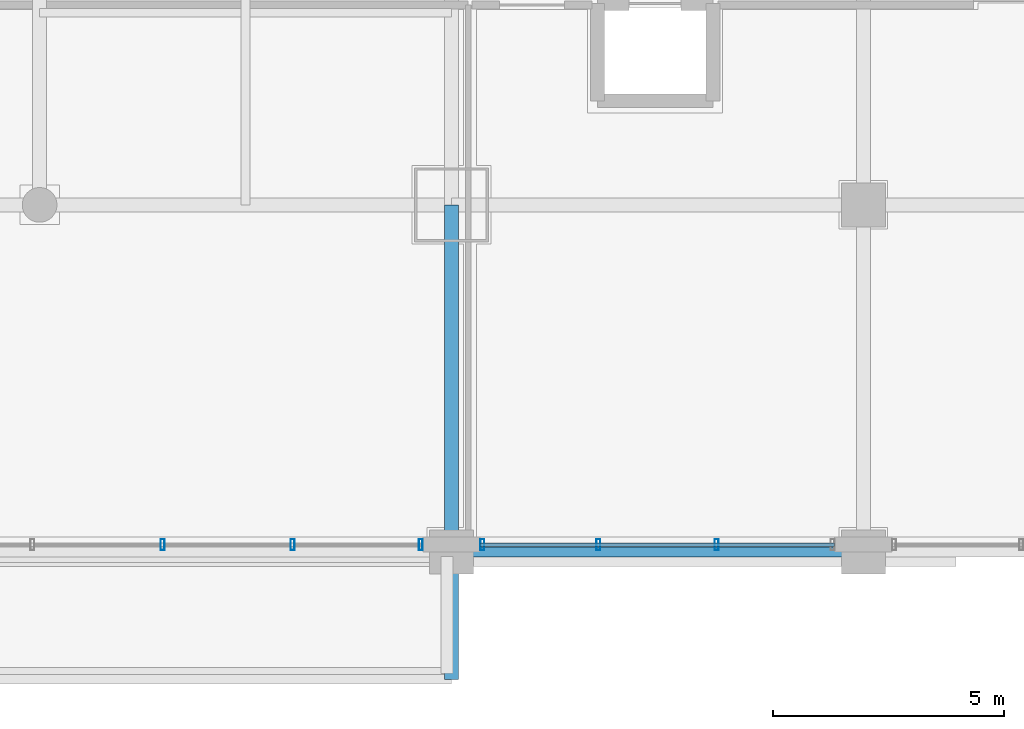
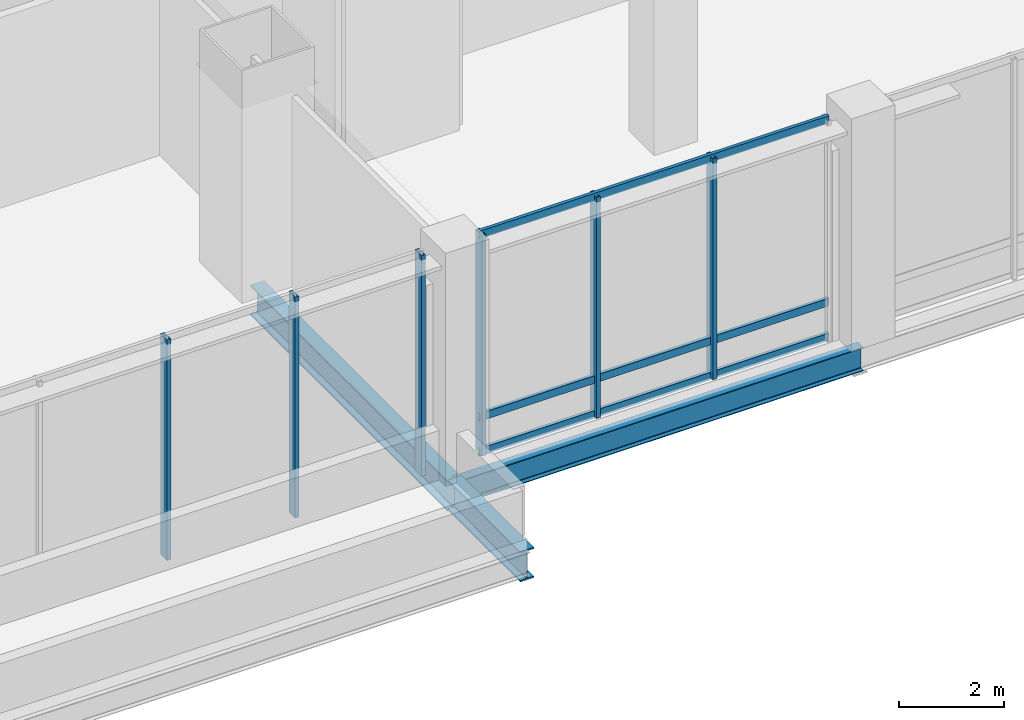
# One storey, part 10 of 43: 9 members, 3 beams, 2 elements without a shape of their own.
"""IFC4 building model written with IfcOpenShell, lengths in metres."""

from ifc_helpers import new_model, si_unit, direction, frame, origin, origin_2d, place, context, subcontext, project, spatial, hollow_rectangle, i_section, extrude, material, material_profile, profile_set, type_object, element, aggregate, save


model = new_model("IFC4")

# Units and contexts
model_context = context("Model", 3, precision=1e-05, world=origin(), true_north=direction((0.0, 1.0)))
body_context = subcontext(model_context, "Body", "Model", "MODEL_VIEW")
ifc_project = project(units=[si_unit("LENGTHUNIT", "METRE"), si_unit("AREAUNIT", "SQUARE_METRE"), si_unit("VOLUMEUNIT", "CUBIC_METRE"), si_unit("PLANEANGLEUNIT", "RADIAN"), si_unit("MASSUNIT", "GRAM", prefix="KILO")], contexts=[model_context])

# Site, building, storey
site_placement = place(None, origin())
site = spatial("IfcSite", under=ifc_project, at=site_placement, CompositionType="ELEMENT")
building_placement = place(site_placement, origin())
building = spatial("IfcBuilding", under=site, at=building_placement, Name="Punatoya Terracotta Tower", CompositionType="ELEMENT")
storey_placement = place(building_placement, frame((0.0, 0.0, 6.0)))
storey = spatial("IfcBuildingStorey", under=building, at=storey_placement, Name="L01", CompositionType="ELEMENT", Elevation=6.0)

# Beams
ifc_material_1 = material(Name="Steel S355", Category="steel")
ifc_material_profile_1 = material_profile(ifc_material_1, i_section(OverallWidth=0.300048828125, OverallDepth=0.699951171875, WebThickness=0.01708984375, FlangeThickness=0.031982421875, FilletRadius=0.01806640625, at=origin_2d()))
ifc_profile_set_1 = profile_set([ifc_material_profile_1], Name="Steel S355")
beam_type_1 = type_object("IfcBeamType", Name="BM-PRI-700", PredefinedType="BEAM", material=ifc_profile_set_1)
beam_1_placement = place(storey_placement, frame((19.10009765625, -25.0, -0.6298828125), z_axis=(0.0, 1.0, 0.0), x_axis=(-1.0, 0.0, 0.0)))
element("IfcBeam", 1, at=beam_1_placement, inside=storey, type_object=beam_type_1, Name="BM-L01-M19E--25", PredefinedType="BEAM", context=body_context, shape_type="SweptSolid", body=[
    extrude(i_section(OverallWidth=0.300048828125, OverallDepth=0.699951171875, WebThickness=0.01708984375, FlangeThickness=0.031982421875, FilletRadius=0.01806640625, at=origin_2d()), origin(), (0.0, 0.0, 1.0), 7.5),
])
beam_2_placement = place(storey_placement, frame((19.10009765625, -27.75, -0.60009765625), z_axis=(0.0, 1.0, 0.0), x_axis=(-1.0, 0.0, 0.0)))
element("IfcBeam", 2, at=beam_2_placement, inside=storey, type_object=beam_type_1, Name="BM-L01-CANS-19", PredefinedType="BEAM", context=body_context, shape_type="SweptSolid", body=[
    extrude(i_section(OverallWidth=0.300048828125, OverallDepth=0.699951171875, WebThickness=0.01708984375, FlangeThickness=0.031982421875, FilletRadius=0.01806640625, at=origin_2d()), origin(), (0.0, 0.0, 1.0), 2.75),
])
ifc_material_profile_2 = material_profile(ifc_material_1, i_section(OverallWidth=0.2099609375, OverallDepth=0.550048828125, WebThickness=0.010986328125, FlangeThickness=0.01708984375, FilletRadius=0.01806640625, at=origin_2d()))
ifc_profile_set_2 = profile_set([ifc_material_profile_2], Name="Steel S355")
beam_type_2 = type_object("IfcBeamType", Name="BM-SPN-550", PredefinedType="SPANDREL", material=ifc_profile_set_2)
beam_3_placement = place(storey_placement, frame((19.10009765625, -25.0, -0.554931640625), z_axis=(1.0, 0.0, 0.0), x_axis=(0.0, 1.0, 0.0)))
element("IfcBeam", 3, at=beam_3_placement, inside=storey, type_object=beam_type_2, Name="BM-L01-AE1", PredefinedType="SPANDREL", context=body_context, shape_type="SweptSolid", body=[
    extrude(i_section(OverallWidth=0.2099609375, OverallDepth=0.550048828125, WebThickness=0.010986328125, FlangeThickness=0.01708984375, FilletRadius=0.01806640625, at=origin_2d()), origin(), (0.0, 0.0, 1.0), 8.89990234375),
])

# Curtain wall, members
ifc_material_2 = material(Name="Aluminium 6063-T6 + Double Low-E Glass", Category="aluminium")
curtain_wall_type = type_object("IfcCurtainWallType", Name="CW-POD", PredefinedType="NOTDEFINED", material=ifc_material_2)
curtain_wall_1_placement = place(storey_placement, origin())
curtain_wall_1 = element("IfcCurtainWall", 4, at=curtain_wall_1_placement, inside=storey, type_object=curtain_wall_type, Name="L01 Curtain Wall CWP-L01-S5", PredefinedType="NOTDEFINED")
ifc_material_3 = material(Name="Aluminium 6063-T6", Category="aluminium")
ifc_material_profile_3 = material_profile(ifc_material_3, hollow_rectangle(XDim=0.0849609375, YDim=0.239990234375, WallThickness=0.0048828125, at=origin_2d()))
ifc_profile_set_3 = profile_set([ifc_material_profile_3], Name="Aluminium 6063-T6")
member_type_1 = type_object("IfcMemberType", Name="CW-MUL-POD", PredefinedType="MULLION", material=ifc_profile_set_3)
member_1_placement = place(storey_placement, frame((12.85595703125, -24.840087890625, 0.0), z_axis=(0.0, 0.0, 1.0), x_axis=(1.0, 0.0, 0.0)))
member_1 = element("IfcMember", 5, at=member_1_placement, type_object=member_type_1, Name="CWP-L01-S5 Mullion 03", PredefinedType="MULLION", context=body_context, shape_type="SweptSolid", body=[
    extrude(hollow_rectangle(XDim=0.0849609375, YDim=0.239990234375, WallThickness=0.0048828125, at=origin_2d()), origin(), (0.0, 0.0, 1.0), 5.1201171875),
])
member_2_placement = place(storey_placement, frame((15.66796875, -24.840087890625, 0.0), z_axis=(0.0, 0.0, 1.0), x_axis=(1.0, 0.0, 0.0)))
member_2 = element("IfcMember", 6, at=member_2_placement, type_object=member_type_1, Name="CWP-L01-S5 Mullion 04", PredefinedType="MULLION", context=body_context, shape_type="SweptSolid", body=[
    extrude(hollow_rectangle(XDim=0.0849609375, YDim=0.239990234375, WallThickness=0.0048828125, at=origin_2d()), origin(), (0.0, 0.0, 1.0), 5.1201171875),
])
member_3_placement = place(storey_placement, frame((18.43505859375, -24.840087890625, 0.0), z_axis=(0.0, 0.0, 1.0), x_axis=(1.0, 0.0, 0.0)))
member_3 = element("IfcMember", 7, at=member_3_placement, type_object=member_type_1, Name="CWP-L01-S5 Mullion 05", PredefinedType="MULLION", context=body_context, shape_type="SweptSolid", body=[
    extrude(hollow_rectangle(XDim=0.0849609375, YDim=0.239990234375, WallThickness=0.0048828125, at=origin_2d()), origin(), (0.0, 0.0, 1.0), 5.1201171875),
])
aggregate(curtain_wall_1, [member_1, member_2, member_3])

curtain_wall_2_placement = place(storey_placement, origin())
curtain_wall_2 = element("IfcCurtainWall", 8, at=curtain_wall_2_placement, inside=storey, type_object=curtain_wall_type, Name="L01 Curtain Wall CWP-L01-S6", PredefinedType="NOTDEFINED")
member_4_placement = place(storey_placement, frame((19.764892578125, -24.840087890625, 0.0), z_axis=(0.0, 0.0, 1.0), x_axis=(1.0, 0.0, 0.0)))
member_4 = element("IfcMember", 9, at=member_4_placement, type_object=member_type_1, Name="CWP-L01-S6 Mullion 00", PredefinedType="MULLION", context=body_context, shape_type="SweptSolid", body=[
    extrude(hollow_rectangle(XDim=0.0849609375, YDim=0.239990234375, WallThickness=0.0048828125, at=origin_2d()), origin(), (0.0, 0.0, 1.0), 5.1201171875),
])
member_5_placement = place(storey_placement, frame((22.273193359375, -24.840087890625, 0.0), z_axis=(0.0, 0.0, 1.0), x_axis=(1.0, 0.0, 0.0)))
member_5 = element("IfcMember", 10, at=member_5_placement, type_object=member_type_1, Name="CWP-L01-S6 Mullion 01", PredefinedType="MULLION", context=body_context, shape_type="SweptSolid", body=[
    extrude(hollow_rectangle(XDim=0.0849609375, YDim=0.239990234375, WallThickness=0.0048828125, at=origin_2d()), origin(), (0.0, 0.0, 1.0), 5.1201171875),
])
member_6_placement = place(storey_placement, frame((24.82666015625, -24.840087890625, 0.0), z_axis=(0.0, 0.0, 1.0), x_axis=(1.0, 0.0, 0.0)))
member_6 = element("IfcMember", 11, at=member_6_placement, type_object=member_type_1, Name="CWP-L01-S6 Mullion 02", PredefinedType="MULLION", context=body_context, shape_type="SweptSolid", body=[
    extrude(hollow_rectangle(XDim=0.0849609375, YDim=0.239990234375, WallThickness=0.0048828125, at=origin_2d()), origin(), (0.0, 0.0, 1.0), 5.1201171875),
])
ifc_material_profile_4 = material_profile(ifc_material_3, hollow_rectangle(XDim=0.074951171875, YDim=0.175048828125, WallThickness=0.00439453125, at=origin_2d()))
ifc_profile_set_4 = profile_set([ifc_material_profile_4], Name="Aluminium 6063-T6")
member_type_2 = type_object("IfcMemberType", Name="CW-TRN-POD", PredefinedType="USERDEFINED", material=ifc_profile_set_4)
member_7_placement = place(storey_placement, frame((19.719970703125, -24.840087890625, 0.0400390625), z_axis=(1.0, 0.0, 0.0), x_axis=(0.0, 1.0, 0.0)))
member_7 = element("IfcMember", 12, at=member_7_placement, type_object=member_type_2, Name="CWP-L01-S6 Transom 1", ObjectType="TRANSOM", PredefinedType="USERDEFINED", context=body_context, shape_type="SweptSolid", body=[
    extrude(hollow_rectangle(XDim=0.074951171875, YDim=0.175048828125, WallThickness=0.00439453125, at=origin_2d()), origin(), (0.0, 0.0, 1.0), 7.659912109375),
])
member_8_placement = place(storey_placement, frame((19.719970703125, -24.840087890625, 0.85009765625), z_axis=(1.0, 0.0, 0.0), x_axis=(0.0, 1.0, 0.0)))
member_8 = element("IfcMember", 13, at=member_8_placement, type_object=member_type_2, Name="CWP-L01-S6 Transom 2", ObjectType="TRANSOM", PredefinedType="USERDEFINED", context=body_context, shape_type="SweptSolid", body=[
    extrude(hollow_rectangle(XDim=0.074951171875, YDim=0.175048828125, WallThickness=0.00439453125, at=origin_2d()), origin(), (0.0, 0.0, 1.0), 7.659912109375),
])
member_9_placement = place(storey_placement, frame((19.719970703125, -24.840087890625, 5.080078125), z_axis=(1.0, 0.0, 0.0), x_axis=(0.0, 1.0, 0.0)))
member_9 = element("IfcMember", 14, at=member_9_placement, type_object=member_type_2, Name="CWP-L01-S6 Transom 3", ObjectType="TRANSOM", PredefinedType="USERDEFINED", context=body_context, shape_type="SweptSolid", body=[
    extrude(hollow_rectangle(XDim=0.074951171875, YDim=0.175048828125, WallThickness=0.00439453125, at=origin_2d()), origin(), (0.0, 0.0, 1.0), 7.659912109375),
])
aggregate(curtain_wall_2, [member_4, member_5, member_6, member_7, member_8, member_9])

save(model, "model.ifc")
